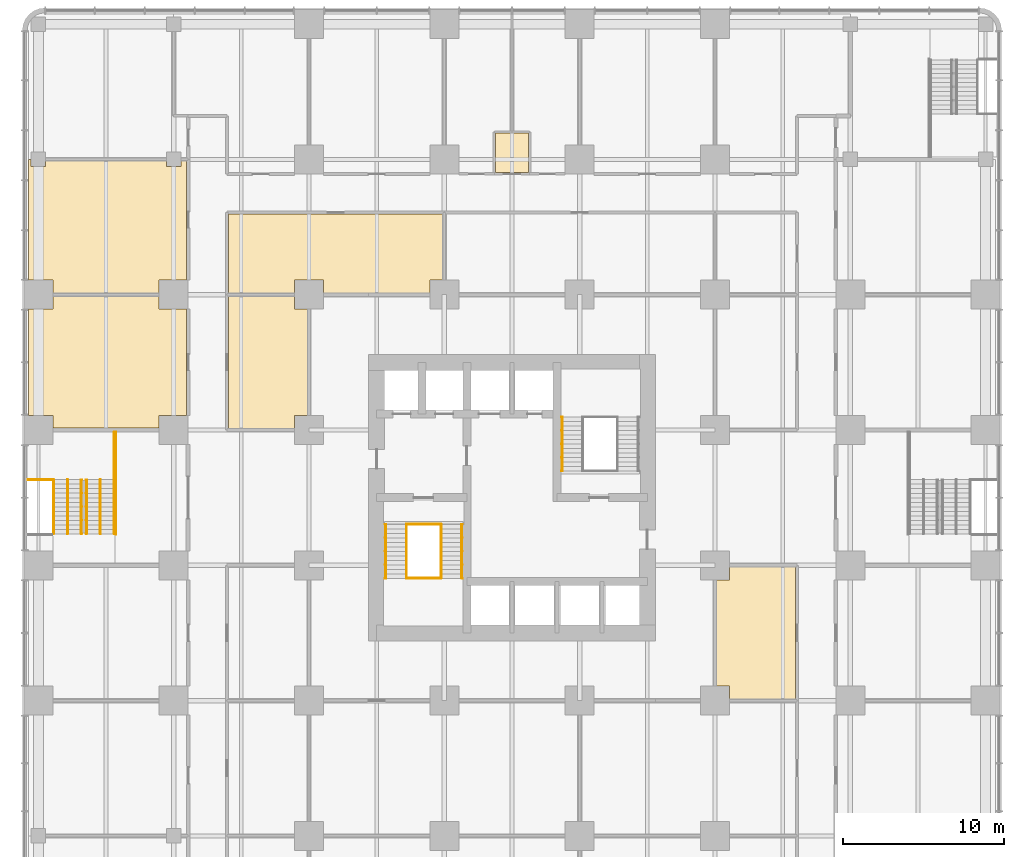
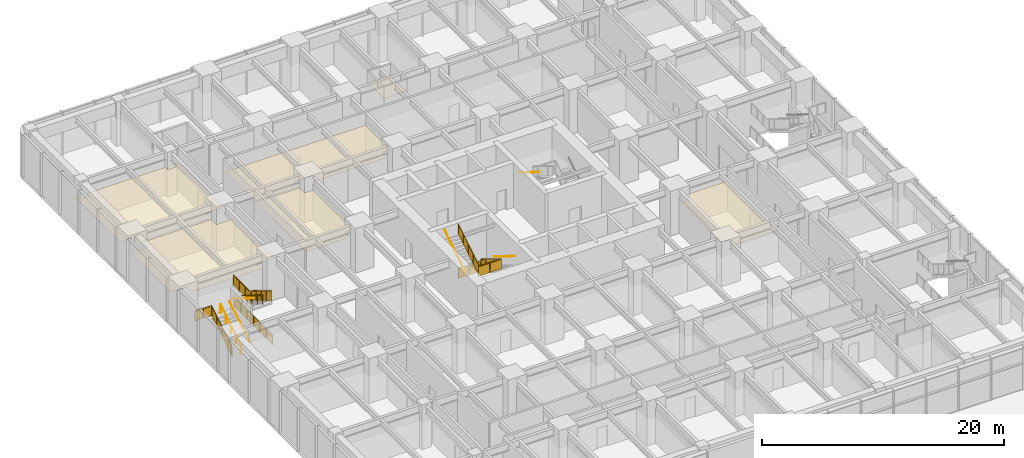
# One storey, part 18 of 20: 16 railings, 6 coverings.
"""IFC4 building model written with IfcOpenShell, lengths in metres."""

import ifcopenshell
import ifcopenshell.guid

model = None  # the IFC model being written
_history = None  # IfcOwnerHistory: only IFC2X3 demands one
_inside = {}  # id of a spatial element -> (the spatial element, [elements in it])
_under = {}  # id of a project, library or spatial element -> (it, [spatial elements below it])
_declared = {}  # id of a project -> (the project, [libraries it declares])
_typed = {}  # id of a type object -> (the type object, [elements of that type])
_made_of = {}  # id of a material, layer set ... -> (it, [elements and type objects made of it])


def new_model(schema):
    """Start an empty IFC model of exactly this schema.

    Asked for "IFC4X3", IfcOpenShell would pick the latest addendum, in which some entities
    have other attributes; the version numbers below select the first issue.
    IFC2X3 requires an IfcOwnerHistory on every rooted entity: one is made here for all.
    """
    global model, _history
    if schema == "IFC4X3":
        model = ifcopenshell.file(schema_version=(4, 3, 0, 0))
    else:
        model = ifcopenshell.file(schema=schema)
    _inside.clear()
    _under.clear()
    _declared.clear()
    _typed.clear()
    _made_of.clear()
    _history = None
    if model.schema == "IFC2X3":
        org = make("IfcOrganization", Name="unknown")
        user = make(
            "IfcPersonAndOrganization",
            ThePerson=make("IfcPerson", FamilyName="unknown"),
            TheOrganization=org,
        )
        app = make(
            "IfcApplication",
            ApplicationDeveloper=org,
            Version="unknown",
            ApplicationFullName="unknown",
            ApplicationIdentifier="unknown",
        )
        _history = make(
            "IfcOwnerHistory",
            OwningUser=user,
            OwningApplication=app,
            ChangeAction="ADDED",
            CreationDate=0,
        )
    return model


def make(cls, **values):
    """One entity of the class cls with the attributes given. An attribute that is None is left unset."""
    return model.create_entity(
        cls, **{name: value for name, value in values.items() if value is not None}
    )


def rooted(cls, **values):
    """An entity with a GlobalId (a new one), such as an element, a storey or a relation."""
    return make(cls, GlobalId=ifcopenshell.guid.new(), OwnerHistory=_history, **values)


def si_unit(unit_type, name, prefix=None):
    """IfcSIUnit, for example si_unit("LENGTHUNIT", "METRE", prefix="MILLI")."""
    return make("IfcSIUnit", UnitType=unit_type, Prefix=prefix, Name=name)


def assignment(units):
    """IfcUnitAssignment: the units of a project."""
    return None if units is None else make("IfcUnitAssignment", Units=units)


def point(xyz):
    """IfcCartesianPoint."""
    return None if xyz is None else make("IfcCartesianPoint", Coordinates=xyz)


def direction(xyz):
    """IfcDirection."""
    return None if xyz is None else make("IfcDirection", DirectionRatios=xyz)


def frame(location, z_axis=None, x_axis=None):
    """IfcAxis2Placement3D, a coordinate frame: its origin and axes. An axis left out is left unset."""
    return make(
        "IfcAxis2Placement3D",
        Location=point(location),
        Axis=direction(z_axis),
        RefDirection=direction(x_axis),
    )


def frame_2d(location, x_axis=None):
    """IfcAxis2Placement2D, a coordinate frame in the plane: its origin and x axis."""
    return make(
        "IfcAxis2Placement2D", Location=point(location), RefDirection=direction(x_axis)
    )


def origin():
    """The frame at (0, 0, 0) with its axes left unset."""
    return frame((0.0, 0.0, 0.0))


def origin_2d():
    """The frame at (0, 0) in the plane with its x axis left unset."""
    return frame_2d((0.0, 0.0))


def place(relative_to, where):
    """IfcLocalPlacement: puts the frame where relative to a parent placement (None: the world)."""
    return make(
        "IfcLocalPlacement", PlacementRelTo=relative_to, RelativePlacement=where
    )


def context(
    kind, dimensions, precision=None, world=None, true_north=None, identifier=None
):
    """IfcGeometricRepresentationContext, for example the 3D "Model" context."""
    return make(
        "IfcGeometricRepresentationContext",
        ContextIdentifier=identifier,
        ContextType=kind,
        CoordinateSpaceDimension=dimensions,
        Precision=precision,
        WorldCoordinateSystem=world,
        TrueNorth=true_north,
    )


def subcontext(parent, identifier, kind, view, scale=None):
    """IfcGeometricRepresentationSubContext, for example "Body" below "Model"."""
    return make(
        "IfcGeometricRepresentationSubContext",
        ContextIdentifier=identifier,
        ContextType=kind,
        ParentContext=parent,
        TargetScale=scale,
        TargetView=view,
    )


def project(units=None, contexts=None):
    """IfcProject with its units and contexts."""
    return rooted(
        "IfcProject",
        Name="project",
        RepresentationContexts=contexts,
        UnitsInContext=assignment(units),
    )


def spatial(cls, under=None, at=None, **own):
    """A site, building, storey or space (cls), placed at a placement, below another one or the project."""
    s = rooted(cls, ObjectPlacement=at, **own)
    if under is not None:
        _under.setdefault(under.id(), (under, []))[1].append(s)
    return s


def polyline(points):
    """IfcPolyline through the points."""
    return make("IfcPolyline", Points=[point(p) for p in points])


def profile(cls, at=None, kind="AREA", **sizes):
    """A parametric profile (cls). Its sizes go by their IFC names, for example OverallWidth=200.0."""
    return make(cls, ProfileType=kind, Position=at, **sizes)


def circle(**sizes):
    """IfcCircleProfileDef."""
    return profile("IfcCircleProfileDef", **sizes)


def outline(outer, holes=None, kind="AREA"):
    """IfcArbitraryClosedProfileDef: a profile drawn as a closed curve; with holes, ...WithVoids."""
    if holes is None:
        return make("IfcArbitraryClosedProfileDef", ProfileType=kind, OuterCurve=outer)
    return make(
        "IfcArbitraryProfileDefWithVoids",
        ProfileType=kind,
        OuterCurve=outer,
        InnerCurves=holes,
    )


def extrude(swept, where, along, depth):
    """IfcExtrudedAreaSolid: the profile swept, set in the frame where, extruded along a direction by depth."""
    return make(
        "IfcExtrudedAreaSolid",
        SweptArea=swept,
        Position=where,
        ExtrudedDirection=direction(along),
        Depth=depth,
    )


def shape(context_of_items, identifier, shape_type, items):
    """IfcShapeRepresentation: the items that make up one representation, for example the "Body"."""
    return make(
        "IfcShapeRepresentation",
        ContextOfItems=context_of_items,
        RepresentationIdentifier=identifier,
        RepresentationType=shape_type,
        Items=items,
    )


def material(Name=None, Category=None):
    """IfcMaterial."""
    return make("IfcMaterial", Name=Name, Category=Category)


def layer(
    of_material, thickness, ventilated=None, Name=None, Category=None, Priority=None
):
    """IfcMaterialLayer: one layer of a wall or slab, of a material (None: an air gap)."""
    return make(
        "IfcMaterialLayer",
        Material=of_material,
        LayerThickness=thickness,
        IsVentilated=ventilated,
        Name=Name,
        Category=Category,
        Priority=Priority,
    )


def layer_set(layers, Name=None):
    """IfcMaterialLayerSet."""
    return make("IfcMaterialLayerSet", MaterialLayers=layers, LayerSetName=Name)


def made_of(thing, what):
    """Note that an element or type object is made of a material, layer set ...; save() writes the relation."""
    if what is not None:
        _made_of.setdefault(what.id(), (what, []))[1].append(thing)
    return thing


def type_object(cls, material=None, **own):
    """A type object (cls), such as IfcWallType, which elements share."""
    return made_of(rooted(cls, **own), material)


def element(
    cls,
    number,
    at=None,
    inside=None,
    cuts=None,
    type_object=None,
    material=None,
    context=None,
    identifier="Body",
    shape_type=None,
    held_by="IfcProductDefinitionShape",
    body=None,
    shapes=None,
    **own,
):
    """One element of the class cls, such as IfcWall. Its Tag is "e" and its number.

    at: its placement. inside: the storey or other place that contains it. cuts: it is an
    opening in that element (IfcRelVoidsElement). A single representation is given by context,
    identifier, shape_type and body (its items); several are given by shapes. held_by: the class
    of the entity that holds the representations. save() writes the other relations.
    """
    e = rooted(cls, Tag="e%d" % number, ObjectPlacement=at, **own)
    if body is not None:
        shapes = [shape(context, identifier, shape_type, body)]
    if shapes is not None:
        e.Representation = make(held_by, Representations=shapes)
    if inside is not None:
        _inside.setdefault(inside.id(), (inside, []))[1].append(e)
    if cuts is not None:
        rooted(
            "IfcRelVoidsElement", RelatingBuildingElement=cuts, RelatedOpeningElement=e
        )
    if type_object is not None:
        _typed.setdefault(type_object.id(), (type_object, []))[1].append(e)
    return made_of(e, material)


def aggregate(whole, parts):
    """IfcRelAggregates: a whole, such as a stair, and the parts it consists of."""
    return rooted("IfcRelAggregates", RelatingObject=whole, RelatedObjects=parts)


def save(model, path):
    """Write the relations noted so far, then the file.

    IfcRelAggregates (storeys below a building ...), IfcRelContainedInSpatialStructure (elements
    in a storey), IfcRelDefinesByType, IfcRelAssociatesMaterial and IfcRelDeclares: one each for
    every whole, place, type object, material and project.
    """
    for whole, parts in _under.values():
        aggregate(whole, parts)
    for where, things in _inside.values():
        rooted(
            "IfcRelContainedInSpatialStructure",
            RelatedElements=things,
            RelatingStructure=where,
        )
    for kind, things in _typed.values():
        rooted("IfcRelDefinesByType", RelatedObjects=things, RelatingType=kind)
    for what, things in _made_of.values():
        rooted("IfcRelAssociatesMaterial", RelatedObjects=things, RelatingMaterial=what)
    for by, libraries in _declared.values():
        rooted("IfcRelDeclares", RelatingContext=by, RelatedDefinitions=libraries)
    model.write(path)


model = new_model("IFC4")

# Units and contexts
model_context = context("Model", 3, precision=1e-05, world=origin(), true_north=direction((0.0, 1.0)))
body_context = subcontext(model_context, "Body", "Model", "MODEL_VIEW")
ifc_project = project(units=[si_unit("LENGTHUNIT", "METRE"), si_unit("AREAUNIT", "SQUARE_METRE"), si_unit("VOLUMEUNIT", "CUBIC_METRE"), si_unit("PLANEANGLEUNIT", "RADIAN"), si_unit("MASSUNIT", "GRAM", prefix="KILO")], contexts=[model_context])

# Site, building, storey
site_placement = place(None, origin())
site = spatial("IfcSite", under=ifc_project, at=site_placement, CompositionType="ELEMENT")
building_placement = place(site_placement, origin())
building = spatial("IfcBuilding", under=site, at=building_placement, Name="Torre Alcanfor", CompositionType="ELEMENT")
storey_placement = place(building_placement, frame((0.0, 0.0, 10.5)))
storey = spatial("IfcBuildingStorey", under=building, at=storey_placement, Name="L02", CompositionType="ELEMENT", Elevation=10.5)

# Coverings
ifc_material_1 = material(Name="Mineral fibre acoustic tile 20 mm, NRC 0.70, on exposed suspension grid", Category="mineral fibre")
ifc_layer_1 = layer(ifc_material_1, 0.02001953125)
ifc_layer_set_1 = layer_set([ifc_layer_1], Name="Acoustic suspended ceiling 600x600 mineral fibre tile")
covering_type_1 = type_object("IfcCoveringType", Name="Acoustic suspended ceiling 600x600 mineral fibre tile", PredefinedType="CEILING", material=ifc_layer_set_1)
covering_1_placement = place(storey_placement, frame((0.0, 0.0, 2.75)))
element("IfcCovering", 1, at=covering_1_placement, inside=storey, type_object=covering_type_1, Name="Ceiling L02-14", PredefinedType="CEILING", context=body_context, shape_type="SweptSolid", body=[
    extrude(outline(polyline([(0.89990234375, 41.925048828125), (0.89990234375, 41.10009765625), (-0.625, 41.10009765625), (-0.625, 34.5), (0.89990234375, 34.5), (0.89990234375, 33.72509765625), (7.5, 33.72509765625), (7.5, 34.5), (9.199951171875, 34.5), (9.199951171875, 41.10009765625), (7.5, 41.10009765625), (7.5, 41.925048828125), (0.89990234375, 41.925048828125)])), origin(), (0.0, 0.0, 1.0), 0.02001953125),
])
covering_2_placement = place(storey_placement, frame((0.0, 0.0, 2.75)))
element("IfcCovering", 2, at=covering_2_placement, inside=storey, type_object=covering_type_1, Name="Ceiling L02-16", PredefinedType="CEILING", context=body_context, shape_type="SweptSolid", body=[
    extrude(outline(polyline([(-0.449951171875, 49.949951171875), (-0.449951171875, 50.39990234375), (-0.625, 50.39990234375), (-0.625, 42.89990234375), (0.89990234375, 42.89990234375), (0.89990234375, 42.074951171875), (7.5, 42.074951171875), (7.5, 42.89990234375), (9.199951171875, 42.89990234375), (9.199951171875, 50.324951171875), (8.85009765625, 50.324951171875), (8.85009765625, 49.949951171875), (7.949951171875, 49.949951171875), (7.949951171875, 50.324951171875), (0.449951171875, 50.324951171875), (0.449951171875, 49.949951171875), (-0.449951171875, 49.949951171875)])), origin(), (0.0, 0.0, 1.0), 0.02001953125),
])
covering_3_placement = place(storey_placement, frame((0.0, 0.0, 3.0)))
element("IfcCovering", 3, at=covering_3_placement, inside=storey, type_object=covering_type_1, Name="Ceiling L02-I08", PredefinedType="CEILING", context=body_context, shape_type="SweptSolid", body=[
    extrude(outline(polyline([(42.89990234375, 25.10009765625), (42.89990234375, 24.300048828125), (42.10009765625, 24.300048828125), (42.10009765625, 17.699951171875), (42.89990234375, 17.699951171875), (42.89990234375, 16.875), (47.0, 16.875), (47.0, 25.10009765625), (42.89990234375, 25.10009765625)])), origin(), (0.0, 0.0, 1.0), 0.02001953125),
])
covering_4_placement = place(storey_placement, frame((0.0, 0.0, 3.0)))
element("IfcCovering", 4, at=covering_4_placement, inside=storey, type_object=covering_type_1, Name="Ceiling L02-I09", PredefinedType="CEILING", context=body_context, shape_type="SweptSolid", body=[
    extrude(outline(polyline([(15.89990234375, 33.699951171875), (15.89990234375, 34.5), (16.699951171875, 34.5), (16.699951171875, 41.10009765625), (15.89990234375, 41.10009765625), (15.89990234375, 41.925048828125), (11.800048828125, 41.925048828125), (11.800048828125, 33.699951171875), (15.89990234375, 33.699951171875)])), origin(), (0.0, 0.0, 1.0), 0.02001953125),
])
covering_5_placement = place(storey_placement, frame((0.0, 0.0, 3.0)))
element("IfcCovering", 5, at=covering_5_placement, inside=storey, type_object=covering_type_1, Name="Ceiling L02-I11", PredefinedType="CEILING", context=body_context, shape_type="SweptSolid", body=[
    extrude(outline(polyline([(24.300048828125, 42.10009765625), (24.300048828125, 42.89990234375), (25.125, 42.89990234375), (25.125, 47.0), (11.800048828125, 47.0), (11.800048828125, 42.074951171875), (15.89990234375, 42.074951171875), (15.89990234375, 42.89990234375), (17.699951171875, 42.89990234375), (17.699951171875, 42.10009765625), (24.300048828125, 42.10009765625)])), origin(), (0.0, 0.0, 1.0), 0.02001953125),
])
ifc_material_2 = material(Name="Moisture-resistant gypsum plasterboard 12.5 mm on concealed suspension frame", Category="gypsum")
ifc_layer_2 = layer(ifc_material_2, 0.012451171875)
ifc_layer_set_2 = layer_set([ifc_layer_2], Name="Moisture-resistant plasterboard ceiling 12.5")
covering_type_2 = type_object("IfcCoveringType", Name="Moisture-resistant plasterboard ceiling 12.5", PredefinedType="CEILING", material=ifc_layer_set_2)
covering_6_placement = place(storey_placement, frame((0.0, 0.0, 3.0)))
element("IfcCovering", 6, at=covering_6_placement, inside=storey, type_object=covering_type_2, Name="Ceiling L02-WCN2", PredefinedType="CEILING", context=body_context, shape_type="SweptSolid", body=[
    extrude(outline(polyline([(30.425048828125, 52.02490234375), (28.375, 52.02490234375), (28.375, 49.574951171875), (30.425048828125, 49.574951171875), (30.425048828125, 52.02490234375)])), origin(), (0.0, 0.0, 1.0), 0.012451171875),
])

# Railings
ifc_material_3 = material(Name="Steel ASTM A500 Grade C hollow sections", Category="steel")
railing_type_1 = type_object("IfcRailingType", Name="Stair guard and handrail 1100", PredefinedType="GUARDRAIL", material=ifc_material_3)
railing_1_placement = place(storey_placement, frame((25.0, 27.75, 0.173095703125)))
element("IfcRailing", 7, at=railing_1_placement, inside=storey, type_object=railing_type_1, Name="Stair guard S1 L02 flight 1", PredefinedType="GUARDRAIL", context=body_context, shape_type="SweptSolid", body=[
    extrude(circle(Radius=0.02392578125, at=origin_2d()), frame((0.0, 0.0, 1.076171875), z_axis=(0.0, -0.850623216509, 0.525775754039), x_axis=(1.0, 0.0, 0.0)), (0.0, 0.0, 1.0), 3.9501953125),
    extrude(circle(Radius=0.02099609375, at=origin_2d()), origin(), (0.0, 0.0, 1.0), 1.052001953125),
    extrude(circle(Radius=0.02099609375, at=origin_2d()), frame((0.0, -0.840087890625, 0.519287109375)), (0.0, 0.0, 1.0), 1.052001953125),
    extrude(circle(Radius=0.02099609375, at=origin_2d()), frame((0.0, -1.68017578125, 1.03857421875)), (0.0, 0.0, 1.0), 1.052001953125),
    extrude(circle(Radius=0.02099609375, at=origin_2d()), frame((0.0, -2.52001953125, 1.5576171875)), (0.0, 0.0, 1.0), 1.052001953125),
    extrude(circle(Radius=0.02099609375, at=origin_2d()), frame((0.0, -3.360107421875, 2.076904296875)), (0.0, 0.0, 1.0), 1.052001953125),
    extrude(outline(polyline([(0.041015625, 0.075439453125), (0.799072265625, 0.5439453125), (0.799072265625, 1.495849609375), (0.041015625, 1.02734375), (0.041015625, 0.075439453125)])), frame((0.005859375, 0.0, 0.0), z_axis=(-1.0, 0.0, 0.0), x_axis=(0.0, -1.0, 0.0)), (0.0, 0.0, 1.0), 0.011962890625),
    extrude(outline(polyline([(0.881103515625, 0.594482421875), (1.63916015625, 1.06298828125), (1.63916015625, 2.01513671875), (0.881103515625, 1.546630859375), (0.881103515625, 0.594482421875)])), frame((0.005859375, 0.0, 0.0), z_axis=(-1.0, 0.0, 0.0), x_axis=(0.0, -1.0, 0.0)), (0.0, 0.0, 1.0), 0.011962890625),
    extrude(outline(polyline([(1.720947265625, 1.11376953125), (2.47900390625, 1.582275390625), (2.47900390625, 2.534423828125), (1.720947265625, 2.065673828125), (1.720947265625, 1.11376953125)])), frame((0.005859375, 0.0, 0.0), z_axis=(-1.0, 0.0, 0.0), x_axis=(0.0, -1.0, 0.0)), (0.0, 0.0, 1.0), 0.011962890625),
    extrude(outline(polyline([(2.56103515625, 1.633056640625), (3.319091796875, 2.1015625), (3.319091796875, 3.053466796875), (2.56103515625, 2.5849609375), (2.56103515625, 1.633056640625)])), frame((0.005859375, 0.0, 0.0), z_axis=(-1.0, 0.0, 0.0), x_axis=(0.0, -1.0, 0.0)), (0.0, 0.0, 1.0), 0.011962890625),
])
railing_2_placement = place(storey_placement, frame((22.85009765625, 24.389892578125, 2.423095703125)))
element("IfcRailing", 8, at=railing_2_placement, inside=storey, type_object=railing_type_1, Name="Stair guard S1 L02 flight 2", PredefinedType="GUARDRAIL", context=body_context, shape_type="SweptSolid", body=[
    extrude(circle(Radius=0.02392578125, at=origin_2d()), frame((0.0, 0.0, 1.076171875), z_axis=(0.0, 0.850623216509, 0.525775754039), x_axis=(-1.0, 0.0, 0.0)), (0.0, 0.0, 1.0), 3.9501953125),
    extrude(circle(Radius=0.02099609375, at=origin_2d()), origin(), (0.0, 0.0, 1.0), 1.052001953125),
    extrude(circle(Radius=0.02099609375, at=origin_2d()), frame((0.0, 0.840087890625, 0.519287109375)), (0.0, 0.0, 1.0), 1.052001953125),
    extrude(circle(Radius=0.02099609375, at=origin_2d()), frame((0.0, 1.68017578125, 1.03857421875)), (0.0, 0.0, 1.0), 1.052001953125),
    extrude(circle(Radius=0.02099609375, at=origin_2d()), frame((0.0, 2.52001953125, 1.5576171875)), (0.0, 0.0, 1.0), 1.052001953125),
    extrude(circle(Radius=0.02099609375, at=origin_2d()), frame((0.0, 3.360107421875, 2.076904296875)), (0.0, 0.0, 1.0), 1.052001953125),
    extrude(outline(polyline([(0.041015625, 0.075439453125), (0.799072265625, 0.5439453125), (0.799072265625, 1.495849609375), (0.041015625, 1.02734375), (0.041015625, 0.075439453125)])), frame((-0.005859375, 0.0, 0.0), z_axis=(1.0, 0.0, 0.0), x_axis=(0.0, 1.0, 0.0)), (0.0, 0.0, 1.0), 0.011962890625),
    extrude(outline(polyline([(0.881103515625, 0.594482421875), (1.63916015625, 1.06298828125), (1.63916015625, 2.01513671875), (0.881103515625, 1.546630859375), (0.881103515625, 0.594482421875)])), frame((-0.005859375, 0.0, 0.0), z_axis=(1.0, 0.0, 0.0), x_axis=(0.0, 1.0, 0.0)), (0.0, 0.0, 1.0), 0.011962890625),
    extrude(outline(polyline([(1.720947265625, 1.11376953125), (2.47900390625, 1.582275390625), (2.47900390625, 2.534423828125), (1.720947265625, 2.065673828125), (1.720947265625, 1.11376953125)])), frame((-0.005859375, 0.0, 0.0), z_axis=(1.0, 0.0, 0.0), x_axis=(0.0, 1.0, 0.0)), (0.0, 0.0, 1.0), 0.011962890625),
    extrude(outline(polyline([(2.56103515625, 1.633056640625), (3.319091796875, 2.1015625), (3.319091796875, 3.053466796875), (2.56103515625, 2.5849609375), (2.56103515625, 1.633056640625)])), frame((-0.005859375, 0.0, 0.0), z_axis=(1.0, 0.0, 0.0), x_axis=(0.0, 1.0, 0.0)), (0.0, 0.0, 1.0), 0.011962890625),
])
for number, where, name in (
    (9, (22.85009765625, 27.75, 0.0), "Stair well guard S1 L02 floor landing"),
    (10, (22.85009765625, 24.389892578125, 2.25), "Stair well guard S1 L02 half landing"),
):
    element("IfcRailing", number, at=place(storey_placement, frame(where)), inside=storey, type_object=railing_type_1, Name=name, PredefinedType="GUARDRAIL", context=body_context, shape_type="SweptSolid", body=[
        extrude(circle(Radius=0.02392578125, at=origin_2d()), frame((0.0, 0.0, 1.076171875), z_axis=(1.0, 0.0, 0.0), x_axis=(0.0, 1.0, 0.0)), (0.0, 0.0, 1.0), 2.14990234375),
        extrude(circle(Radius=0.02099609375, at=origin_2d()), origin(), (0.0, 0.0, 1.0), 1.052001953125),
        extrude(circle(Radius=0.02099609375, at=origin_2d()), frame((1.074951171875, 0.0, 0.0)), (0.0, 0.0, 1.0), 1.052001953125),
        extrude(circle(Radius=0.02099609375, at=origin_2d()), frame((2.14990234375, 0.0, 0.0)), (0.0, 0.0, 1.0), 1.052001953125),
        extrude(outline(polyline([(0.041015625, 0.050048828125), (1.033935546875, 0.050048828125), (1.033935546875, 1.001953125), (0.041015625, 1.001953125), (0.041015625, 0.050048828125)])), frame((0.0, 0.005859375, 0.0), z_axis=(0.0, -1.0, 0.0), x_axis=(1.0, 0.0, 0.0)), (0.0, 0.0, 1.0), 0.011962890625),
        extrude(outline(polyline([(1.115966796875, 0.050048828125), (2.10888671875, 0.050048828125), (2.10888671875, 1.001953125), (1.115966796875, 1.001953125), (1.115966796875, 0.050048828125)])), frame((0.0, 0.005859375, 0.0), z_axis=(0.0, -1.0, 0.0), x_axis=(1.0, 0.0, 0.0)), (0.0, 0.0, 1.0), 0.011962890625),
    ])
railing_3_placement = place(storey_placement, frame((4.81005859375, 27.10498046875, 0.0)))
element("IfcRailing", 11, at=railing_3_placement, inside=storey, type_object=railing_type_1, Name="Stair well guard SS1 L02 door side", PredefinedType="GUARDRAIL", context=body_context, shape_type="SweptSolid", body=[
    extrude(circle(Radius=0.02392578125, at=origin_2d()), frame((0.0, 0.0, 1.076171875), z_axis=(0.0, 1.0, 0.0), x_axis=(-1.0, 0.0, 0.0)), (0.0, 0.0, 1.0), 6.360107421875),
    extrude(circle(Radius=0.02099609375, at=origin_2d()), origin(), (0.0, 0.0, 1.0), 1.052001953125),
    extrude(circle(Radius=0.02099609375, at=origin_2d()), frame((0.0, 1.06005859375, 0.0)), (0.0, 0.0, 1.0), 1.052001953125),
    extrude(circle(Radius=0.02099609375, at=origin_2d()), frame((0.0, 2.1201171875, 0.0)), (0.0, 0.0, 1.0), 1.052001953125),
    extrude(circle(Radius=0.02099609375, at=origin_2d()), frame((0.0, 3.18017578125, 0.0)), (0.0, 0.0, 1.0), 1.052001953125),
    extrude(circle(Radius=0.02099609375, at=origin_2d()), frame((0.0, 4.239990234375, 0.0)), (0.0, 0.0, 1.0), 1.052001953125),
    extrude(circle(Radius=0.02099609375, at=origin_2d()), frame((0.0, 5.300048828125, 0.0)), (0.0, 0.0, 1.0), 1.052001953125),
    extrude(circle(Radius=0.02099609375, at=origin_2d()), frame((0.0, 6.360107421875, 0.0)), (0.0, 0.0, 1.0), 1.052001953125),
    extrude(outline(polyline([(0.041015625, 0.050048828125), (1.01904296875, 0.050048828125), (1.01904296875, 1.001953125), (0.041015625, 1.001953125), (0.041015625, 0.050048828125)])), frame((-0.005859375, 0.0, 0.0), z_axis=(1.0, 0.0, 0.0), x_axis=(0.0, 1.0, 0.0)), (0.0, 0.0, 1.0), 0.011962890625),
    extrude(outline(polyline([(1.10107421875, 0.050048828125), (2.0791015625, 0.050048828125), (2.0791015625, 1.001953125), (1.10107421875, 1.001953125), (1.10107421875, 0.050048828125)])), frame((-0.005859375, 0.0, 0.0), z_axis=(1.0, 0.0, 0.0), x_axis=(0.0, 1.0, 0.0)), (0.0, 0.0, 1.0), 0.011962890625),
    extrude(outline(polyline([(2.1611328125, 0.050048828125), (3.13916015625, 0.050048828125), (3.13916015625, 1.001953125), (2.1611328125, 1.001953125), (2.1611328125, 0.050048828125)])), frame((-0.005859375, 0.0, 0.0), z_axis=(1.0, 0.0, 0.0), x_axis=(0.0, 1.0, 0.0)), (0.0, 0.0, 1.0), 0.011962890625),
    extrude(outline(polyline([(3.220947265625, 0.050048828125), (4.198974609375, 0.050048828125), (4.198974609375, 1.001953125), (3.220947265625, 1.001953125), (3.220947265625, 0.050048828125)])), frame((-0.005859375, 0.0, 0.0), z_axis=(1.0, 0.0, 0.0), x_axis=(0.0, 1.0, 0.0)), (0.0, 0.0, 1.0), 0.011962890625),
    extrude(outline(polyline([(4.281005859375, 0.050048828125), (5.259033203125, 0.050048828125), (5.259033203125, 1.001953125), (4.281005859375, 1.001953125), (4.281005859375, 0.050048828125)])), frame((-0.005859375, 0.0, 0.0), z_axis=(1.0, 0.0, 0.0), x_axis=(0.0, 1.0, 0.0)), (0.0, 0.0, 1.0), 0.011962890625),
    extrude(outline(polyline([(5.341064453125, 0.050048828125), (6.319091796875, 0.050048828125), (6.319091796875, 1.001953125), (5.341064453125, 1.001953125), (5.341064453125, 0.050048828125)])), frame((-0.005859375, 0.0, 0.0), z_axis=(1.0, 0.0, 0.0), x_axis=(0.0, 1.0, 0.0)), (0.0, 0.0, 1.0), 0.011962890625),
])
railing_4_placement = place(storey_placement, frame((0.949951171875, 27.155029296875, 0.173095703125)))
element("IfcRailing", 12, at=railing_4_placement, inside=storey, type_object=railing_type_1, Name="Stair guard SS1 L02 flight 1", PredefinedType="GUARDRAIL", context=body_context, shape_type="SweptSolid", body=[
    extrude(circle(Radius=0.02392578125, at=origin_2d()), frame((0.0, 0.0, 1.076171875), z_axis=(0.0, 0.850606129759, 0.525803396734), x_axis=(-1.0, 0.0, 0.0)), (0.0, 0.0, 1.0), 3.949951171875),
    extrude(circle(Radius=0.02099609375, at=origin_2d()), origin(), (0.0, 0.0, 1.0), 1.052001953125),
    extrude(circle(Radius=0.02099609375, at=origin_2d()), frame((0.0, 0.83984375, 0.519287109375)), (0.0, 0.0, 1.0), 1.052001953125),
    extrude(circle(Radius=0.02099609375, at=origin_2d()), frame((0.0, 1.679931640625, 1.03857421875)), (0.0, 0.0, 1.0), 1.052001953125),
    extrude(circle(Radius=0.02099609375, at=origin_2d()), frame((0.0, 2.52001953125, 1.5576171875)), (0.0, 0.0, 1.0), 1.052001953125),
    extrude(circle(Radius=0.02099609375, at=origin_2d()), frame((0.0, 3.35986328125, 2.076904296875)), (0.0, 0.0, 1.0), 1.052001953125),
    extrude(outline(polyline([(0.041015625, 0.075439453125), (0.799072265625, 0.5439453125), (0.799072265625, 1.495849609375), (0.041015625, 1.02734375), (0.041015625, 0.075439453125)])), frame((-0.005859375, 0.0, 0.0), z_axis=(1.0, 0.0, 0.0), x_axis=(0.0, 1.0, 0.0)), (0.0, 0.0, 1.0), 0.011962890625),
    extrude(outline(polyline([(0.880859375, 0.594482421875), (1.638916015625, 1.06298828125), (1.638916015625, 2.01513671875), (0.880859375, 1.546630859375), (0.880859375, 0.594482421875)])), frame((-0.005859375, 0.0, 0.0), z_axis=(1.0, 0.0, 0.0), x_axis=(0.0, 1.0, 0.0)), (0.0, 0.0, 1.0), 0.011962890625),
    extrude(outline(polyline([(1.720947265625, 1.11376953125), (2.47900390625, 1.582275390625), (2.47900390625, 2.534423828125), (1.720947265625, 2.06591796875), (1.720947265625, 1.11376953125)])), frame((-0.005859375, 0.0, 0.0), z_axis=(1.0, 0.0, 0.0), x_axis=(0.0, 1.0, 0.0)), (0.0, 0.0, 1.0), 0.011962890625),
    extrude(outline(polyline([(2.560791015625, 1.633056640625), (3.31884765625, 2.1015625), (3.31884765625, 3.053466796875), (2.560791015625, 2.5849609375), (2.560791015625, 1.633056640625)])), frame((-0.005859375, 0.0, 0.0), z_axis=(1.0, 0.0, 0.0), x_axis=(0.0, 1.0, 0.0)), (0.0, 0.0, 1.0), 0.011962890625),
])
railing_5_placement = place(storey_placement, frame((4.7099609375, 30.514892578125, 2.423095703125)))
element("IfcRailing", 13, at=railing_5_placement, inside=storey, type_object=railing_type_1, Name="Stair guard SS1 L02 flight 2", PredefinedType="GUARDRAIL", context=body_context, shape_type="SweptSolid", body=[
    extrude(circle(Radius=0.02392578125, at=origin_2d()), frame((0.0, 0.0, 1.076171875), z_axis=(0.0, -0.850606129759, 0.525803396734), x_axis=(1.0, 0.0, 0.0)), (0.0, 0.0, 1.0), 3.949951171875),
    extrude(circle(Radius=0.02099609375, at=origin_2d()), origin(), (0.0, 0.0, 1.0), 1.052001953125),
    extrude(circle(Radius=0.02099609375, at=origin_2d()), frame((0.0, -0.83984375, 0.519287109375)), (0.0, 0.0, 1.0), 1.052001953125),
    extrude(circle(Radius=0.02099609375, at=origin_2d()), frame((0.0, -1.679931640625, 1.03857421875)), (0.0, 0.0, 1.0), 1.052001953125),
    extrude(circle(Radius=0.02099609375, at=origin_2d()), frame((0.0, -2.52001953125, 1.5576171875)), (0.0, 0.0, 1.0), 1.052001953125),
    extrude(circle(Radius=0.02099609375, at=origin_2d()), frame((0.0, -3.35986328125, 2.076904296875)), (0.0, 0.0, 1.0), 1.052001953125),
    extrude(outline(polyline([(0.041015625, 0.075439453125), (0.799072265625, 0.5439453125), (0.799072265625, 1.495849609375), (0.041015625, 1.02734375), (0.041015625, 0.075439453125)])), frame((0.005859375, 0.0, 0.0), z_axis=(-1.0, 0.0, 0.0), x_axis=(0.0, -1.0, 0.0)), (0.0, 0.0, 1.0), 0.011962890625),
    extrude(outline(polyline([(0.880859375, 0.594482421875), (1.638916015625, 1.06298828125), (1.638916015625, 2.01513671875), (0.880859375, 1.546630859375), (0.880859375, 0.594482421875)])), frame((0.005859375, 0.0, 0.0), z_axis=(-1.0, 0.0, 0.0), x_axis=(0.0, -1.0, 0.0)), (0.0, 0.0, 1.0), 0.011962890625),
    extrude(outline(polyline([(1.720947265625, 1.11376953125), (2.47900390625, 1.582275390625), (2.47900390625, 2.534423828125), (1.720947265625, 2.06591796875), (1.720947265625, 1.11376953125)])), frame((0.005859375, 0.0, 0.0), z_axis=(-1.0, 0.0, 0.0), x_axis=(0.0, -1.0, 0.0)), (0.0, 0.0, 1.0), 0.011962890625),
    extrude(outline(polyline([(2.560791015625, 1.633056640625), (3.31884765625, 2.1015625), (3.31884765625, 3.053466796875), (2.560791015625, 2.5849609375), (2.560791015625, 1.633056640625)])), frame((0.005859375, 0.0, 0.0), z_axis=(-1.0, 0.0, 0.0), x_axis=(0.0, -1.0, 0.0)), (0.0, 0.0, 1.0), 0.011962890625),
])
railing_6_placement = place(storey_placement, frame((-0.64990234375, 30.514892578125, 2.25)))
element("IfcRailing", 14, at=railing_6_placement, inside=storey, type_object=railing_type_1, Name="Stair guard SS1 L02 half landing facade strip", PredefinedType="GUARDRAIL", context=body_context, shape_type="SweptSolid", body=[
    extrude(circle(Radius=0.02392578125, at=origin_2d()), frame((0.0, 0.0, 1.076171875), z_axis=(1.0, 0.0, 0.0), x_axis=(0.0, 1.0, 0.0)), (0.0, 0.0, 1.0), 1.5498046875),
    extrude(circle(Radius=0.02099609375, at=origin_2d()), origin(), (0.0, 0.0, 1.0), 1.052001953125),
    extrude(circle(Radius=0.02099609375, at=origin_2d()), frame((0.77490234375, 0.0, 0.0)), (0.0, 0.0, 1.0), 1.052001953125),
    extrude(circle(Radius=0.02099609375, at=origin_2d()), frame((1.5498046875, 0.0, 0.0)), (0.0, 0.0, 1.0), 1.052001953125),
    extrude(outline(polyline([(0.041015625, 0.050048828125), (0.73388671875, 0.050048828125), (0.73388671875, 1.001953125), (0.041015625, 1.001953125), (0.041015625, 0.050048828125)])), frame((0.0, 0.005859375, 0.0), z_axis=(0.0, -1.0, 0.0), x_axis=(1.0, 0.0, 0.0)), (0.0, 0.0, 1.0), 0.011962890625),
    extrude(outline(polyline([(0.81591796875, 0.050048828125), (1.5087890625, 0.050048828125), (1.5087890625, 1.001953125), (0.81591796875, 1.001953125), (0.81591796875, 0.050048828125)])), frame((0.0, 0.005859375, 0.0), z_axis=(0.0, -1.0, 0.0), x_axis=(1.0, 0.0, 0.0)), (0.0, 0.0, 1.0), 0.011962890625),
])
railing_7_placement = place(storey_placement, frame((4.7099609375, 30.514892578125, 2.25)))
element("IfcRailing", 15, at=railing_7_placement, inside=storey, type_object=railing_type_1, Name="Stair guard SS1 L02 half landing", PredefinedType="GUARDRAIL", context=body_context, shape_type="SweptSolid", body=[
    extrude(circle(Radius=0.02392578125, at=origin_2d()), frame((0.0, 0.0, 1.076171875), z_axis=(0.0, 1.0, 0.0), x_axis=(-1.0, 0.0, 0.0)), (0.0, 0.0, 1.0), 2.9501953125),
    extrude(circle(Radius=0.02099609375, at=origin_2d()), origin(), (0.0, 0.0, 1.0), 1.052001953125),
    extrude(circle(Radius=0.02099609375, at=origin_2d()), frame((0.0, 0.9833984375, 0.0)), (0.0, 0.0, 1.0), 1.052001953125),
    extrude(circle(Radius=0.02099609375, at=origin_2d()), frame((0.0, 1.966796875, 0.0)), (0.0, 0.0, 1.0), 1.052001953125),
    extrude(circle(Radius=0.02099609375, at=origin_2d()), frame((0.0, 2.9501953125, 0.0)), (0.0, 0.0, 1.0), 1.052001953125),
    extrude(outline(polyline([(0.041015625, 0.050048828125), (0.9423828125, 0.050048828125), (0.9423828125, 1.001953125), (0.041015625, 1.001953125), (0.041015625, 0.050048828125)])), frame((-0.005859375, 0.0, 0.0), z_axis=(1.0, 0.0, 0.0), x_axis=(0.0, 1.0, 0.0)), (0.0, 0.0, 1.0), 0.011962890625),
    extrude(outline(polyline([(1.0244140625, 0.050048828125), (1.92578125, 0.050048828125), (1.92578125, 1.001953125), (1.0244140625, 1.001953125), (1.0244140625, 0.050048828125)])), frame((-0.005859375, 0.0, 0.0), z_axis=(1.0, 0.0, 0.0), x_axis=(0.0, 1.0, 0.0)), (0.0, 0.0, 1.0), 0.011962890625),
    extrude(outline(polyline([(2.0078125, 0.050048828125), (2.9091796875, 0.050048828125), (2.9091796875, 1.001953125), (2.0078125, 1.001953125), (2.0078125, 0.050048828125)])), frame((-0.005859375, 0.0, 0.0), z_axis=(1.0, 0.0, 0.0), x_axis=(0.0, 1.0, 0.0)), (0.0, 0.0, 1.0), 0.011962890625),
])
ifc_material_4 = material(Name="Steel ASTM A500 Grade C hollow sections", Category="steel")
railing_type_2 = type_object("IfcRailingType", Name="Stair intermediate handrail 900", PredefinedType="HANDRAIL", material=ifc_material_4)
railing_8_placement = place(storey_placement, frame((1.81494140625, 27.155029296875, 0.173095703125)))
element("IfcRailing", 16, at=railing_8_placement, inside=storey, type_object=railing_type_2, Name="Stair intermediate handrail SS1 L02 flight 1 rail 1", PredefinedType="HANDRAIL", context=body_context, shape_type="SweptSolid", body=[
    extrude(circle(Radius=0.02392578125, at=origin_2d()), frame((0.0, 0.0, 0.8759765625), z_axis=(0.0, 0.850606129759, 0.525803396734), x_axis=(-1.0, 0.0, 0.0)), (0.0, 0.0, 1.0), 3.949951171875),
    extrude(circle(Radius=0.02099609375, at=origin_2d()), origin(), (0.0, 0.0, 1.0), 0.851806640625),
    extrude(circle(Radius=0.02099609375, at=origin_2d()), frame((0.0, 0.83984375, 0.519287109375)), (0.0, 0.0, 1.0), 0.851806640625),
    extrude(circle(Radius=0.02099609375, at=origin_2d()), frame((0.0, 1.679931640625, 1.03857421875)), (0.0, 0.0, 1.0), 0.851806640625),
    extrude(circle(Radius=0.02099609375, at=origin_2d()), frame((0.0, 2.52001953125, 1.5576171875)), (0.0, 0.0, 1.0), 0.851806640625),
    extrude(circle(Radius=0.02099609375, at=origin_2d()), frame((0.0, 3.35986328125, 2.076904296875)), (0.0, 0.0, 1.0), 0.851806640625),
])
railing_9_placement = place(storey_placement, frame((3.844970703125, 30.514892578125, 2.423095703125)))
element("IfcRailing", 17, at=railing_9_placement, inside=storey, type_object=railing_type_2, Name="Stair intermediate handrail SS1 L02 flight 2 rail 1", PredefinedType="HANDRAIL", context=body_context, shape_type="SweptSolid", body=[
    extrude(circle(Radius=0.02392578125, at=origin_2d()), frame((0.0, 0.0, 0.8759765625), z_axis=(0.0, -0.850606129759, 0.525803396734), x_axis=(1.0, 0.0, 0.0)), (0.0, 0.0, 1.0), 3.949951171875),
    extrude(circle(Radius=0.02099609375, at=origin_2d()), origin(), (0.0, 0.0, 1.0), 0.851806640625),
    extrude(circle(Radius=0.02099609375, at=origin_2d()), frame((0.0, -0.83984375, 0.519287109375)), (0.0, 0.0, 1.0), 0.851806640625),
    extrude(circle(Radius=0.02099609375, at=origin_2d()), frame((0.0, -1.679931640625, 1.03857421875)), (0.0, 0.0, 1.0), 0.851806640625),
    extrude(circle(Radius=0.02099609375, at=origin_2d()), frame((0.0, -2.52001953125, 1.5576171875)), (0.0, 0.0, 1.0), 0.851806640625),
    extrude(circle(Radius=0.02099609375, at=origin_2d()), frame((0.0, -3.35986328125, 2.076904296875)), (0.0, 0.0, 1.0), 0.851806640625),
])
ifc_material_5 = material(Name="Steel ASTM A500 Grade C hollow sections", Category="steel")
railing_type_3 = type_object("IfcRailingType", Name="Stair wall handrail 900", PredefinedType="HANDRAIL", material=ifc_material_5)
railing_10_placement = place(storey_placement, frame((26.284912109375, 27.75, 0.173095703125)))
element("IfcRailing", 18, at=railing_10_placement, inside=storey, type_object=railing_type_3, Name="Stair handrail S1 L02 flight 1", PredefinedType="HANDRAIL", context=body_context, shape_type="SweptSolid", body=[
    extrude(circle(Radius=0.02392578125, at=origin_2d()), frame((0.0, 0.0, 0.8759765625), z_axis=(0.0, -0.850623216509, 0.525775754039), x_axis=(1.0, 0.0, 0.0)), (0.0, 0.0, 1.0), 3.9501953125),
    extrude(circle(Radius=0.008056640625, at=origin_2d()), frame((0.0, 0.0, 0.8759765625), z_axis=(1.0, 0.0, 0.0), x_axis=(0.0, 0.0, 1.0)), (0.0, 0.0, 1.0), 0.06494140625),
    extrude(circle(Radius=0.008056640625, at=origin_2d()), frame((0.0, -0.840087890625, 1.39501953125), z_axis=(1.0, 0.0, 0.0), x_axis=(0.0, 0.0, 1.0)), (0.0, 0.0, 1.0), 0.06494140625),
    extrude(circle(Radius=0.008056640625, at=origin_2d()), frame((0.0, -1.68017578125, 1.914306640625), z_axis=(1.0, 0.0, 0.0), x_axis=(0.0, 0.0, 1.0)), (0.0, 0.0, 1.0), 0.06494140625),
    extrude(circle(Radius=0.008056640625, at=origin_2d()), frame((0.0, -2.52001953125, 2.43359375), z_axis=(1.0, 0.0, 0.0), x_axis=(0.0, 0.0, 1.0)), (0.0, 0.0, 1.0), 0.06494140625),
    extrude(circle(Radius=0.008056640625, at=origin_2d()), frame((0.0, -3.360107421875, 2.95263671875), z_axis=(1.0, 0.0, 0.0), x_axis=(0.0, 0.0, 1.0)), (0.0, 0.0, 1.0), 0.06494140625),
])
railing_11_placement = place(storey_placement, frame((21.56494140625, 24.389892578125, 2.423095703125)))
element("IfcRailing", 19, at=railing_11_placement, inside=storey, type_object=railing_type_3, Name="Stair handrail S1 L02 flight 2", PredefinedType="HANDRAIL", context=body_context, shape_type="SweptSolid", body=[
    extrude(circle(Radius=0.02392578125, at=origin_2d()), frame((0.0, 0.0, 0.8759765625), z_axis=(0.0, 0.850623216509, 0.525775754039), x_axis=(-1.0, 0.0, 0.0)), (0.0, 0.0, 1.0), 3.9501953125),
    extrude(circle(Radius=0.008056640625, at=origin_2d()), frame((0.0, 0.0, 0.8759765625), z_axis=(-1.0, 0.0, 0.0), x_axis=(0.0, 0.0, 1.0)), (0.0, 0.0, 1.0), 0.06494140625),
    extrude(circle(Radius=0.008056640625, at=origin_2d()), frame((0.0, 0.840087890625, 1.39501953125), z_axis=(-1.0, 0.0, 0.0), x_axis=(0.0, 0.0, 1.0)), (0.0, 0.0, 1.0), 0.06494140625),
    extrude(circle(Radius=0.008056640625, at=origin_2d()), frame((0.0, 1.68017578125, 1.914306640625), z_axis=(-1.0, 0.0, 0.0), x_axis=(0.0, 0.0, 1.0)), (0.0, 0.0, 1.0), 0.06494140625),
    extrude(circle(Radius=0.008056640625, at=origin_2d()), frame((0.0, 2.52001953125, 2.43359375), z_axis=(-1.0, 0.0, 0.0), x_axis=(0.0, 0.0, 1.0)), (0.0, 0.0, 1.0), 0.06494140625),
    extrude(circle(Radius=0.008056640625, at=origin_2d()), frame((0.0, 3.360107421875, 2.95263671875), z_axis=(-1.0, 0.0, 0.0), x_axis=(0.0, 0.0, 1.0)), (0.0, 0.0, 1.0), 0.06494140625),
])
railing_12_placement = place(storey_placement, frame((32.514892578125, 34.409912109375, 2.423095703125)))
element("IfcRailing", 20, at=railing_12_placement, inside=storey, type_object=railing_type_3, Name="Stair handrail S2 L02 flight 2", PredefinedType="HANDRAIL", context=body_context, shape_type="SweptSolid", body=[
    extrude(circle(Radius=0.02392578125, at=origin_2d()), frame((0.0, 0.0, 0.8759765625), z_axis=(0.0, -0.850606129759, 0.525803396734), x_axis=(1.0, 0.0, 0.0)), (0.0, 0.0, 1.0), 3.949951171875),
    extrude(circle(Radius=0.008056640625, at=origin_2d()), frame((0.0, 0.0, 0.8759765625), z_axis=(-1.0, 0.0, 0.0), x_axis=(0.0, 0.0, 1.0)), (0.0, 0.0, 1.0), 0.06494140625),
    extrude(circle(Radius=0.008056640625, at=origin_2d()), frame((0.0, -0.83984375, 1.39501953125), z_axis=(-1.0, 0.0, 0.0), x_axis=(0.0, 0.0, 1.0)), (0.0, 0.0, 1.0), 0.06494140625),
    extrude(circle(Radius=0.008056640625, at=origin_2d()), frame((0.0, -1.679931640625, 1.914306640625), z_axis=(-1.0, 0.0, 0.0), x_axis=(0.0, 0.0, 1.0)), (0.0, 0.0, 1.0), 0.06494140625),
    extrude(circle(Radius=0.008056640625, at=origin_2d()), frame((0.0, -2.52001953125, 2.43359375), z_axis=(-1.0, 0.0, 0.0), x_axis=(0.0, 0.0, 1.0)), (0.0, 0.0, 1.0), 0.06494140625),
    extrude(circle(Radius=0.008056640625, at=origin_2d()), frame((0.0, -3.35986328125, 2.95263671875), z_axis=(-1.0, 0.0, 0.0), x_axis=(0.0, 0.0, 1.0)), (0.0, 0.0, 1.0), 0.06494140625),
])
railing_13_placement = place(storey_placement, frame((2.6650390625, 27.155029296875, 0.173095703125)))
element("IfcRailing", 21, at=railing_13_placement, inside=storey, type_object=railing_type_3, Name="Stair handrail SS1 L02 flight 1", PredefinedType="HANDRAIL", context=body_context, shape_type="SweptSolid", body=[
    extrude(circle(Radius=0.02392578125, at=origin_2d()), frame((0.0, 0.0, 0.8759765625), z_axis=(0.0, 0.850606129759, 0.525803396734), x_axis=(-1.0, 0.0, 0.0)), (0.0, 0.0, 1.0), 3.949951171875),
    extrude(circle(Radius=0.008056640625, at=origin_2d()), frame((0.0, 0.0, 0.8759765625), z_axis=(1.0, 0.0, 0.0), x_axis=(0.0, 0.0, 1.0)), (0.0, 0.0, 1.0), 0.06494140625),
    extrude(circle(Radius=0.008056640625, at=origin_2d()), frame((0.0, 0.83984375, 1.39501953125), z_axis=(1.0, 0.0, 0.0), x_axis=(0.0, 0.0, 1.0)), (0.0, 0.0, 1.0), 0.06494140625),
    extrude(circle(Radius=0.008056640625, at=origin_2d()), frame((0.0, 1.679931640625, 1.914306640625), z_axis=(1.0, 0.0, 0.0), x_axis=(0.0, 0.0, 1.0)), (0.0, 0.0, 1.0), 0.06494140625),
    extrude(circle(Radius=0.008056640625, at=origin_2d()), frame((0.0, 2.52001953125, 2.43359375), z_axis=(1.0, 0.0, 0.0), x_axis=(0.0, 0.0, 1.0)), (0.0, 0.0, 1.0), 0.06494140625),
    extrude(circle(Radius=0.008056640625, at=origin_2d()), frame((0.0, 3.35986328125, 2.95263671875), z_axis=(1.0, 0.0, 0.0), x_axis=(0.0, 0.0, 1.0)), (0.0, 0.0, 1.0), 0.06494140625),
])
railing_14_placement = place(storey_placement, frame((2.9951171875, 30.514892578125, 2.423095703125)))
element("IfcRailing", 22, at=railing_14_placement, inside=storey, type_object=railing_type_3, Name="Stair handrail SS1 L02 flight 2", PredefinedType="HANDRAIL", context=body_context, shape_type="SweptSolid", body=[
    extrude(circle(Radius=0.02392578125, at=origin_2d()), frame((0.0, 0.0, 0.8759765625), z_axis=(0.0, -0.850606129759, 0.525803396734), x_axis=(1.0, 0.0, 0.0)), (0.0, 0.0, 1.0), 3.949951171875),
    extrude(circle(Radius=0.008056640625, at=origin_2d()), frame((0.0, 0.0, 0.8759765625), z_axis=(-1.0, 0.0, 0.0), x_axis=(0.0, 0.0, 1.0)), (0.0, 0.0, 1.0), 0.06494140625),
    extrude(circle(Radius=0.008056640625, at=origin_2d()), frame((0.0, -0.83984375, 1.39501953125), z_axis=(-1.0, 0.0, 0.0), x_axis=(0.0, 0.0, 1.0)), (0.0, 0.0, 1.0), 0.06494140625),
    extrude(circle(Radius=0.008056640625, at=origin_2d()), frame((0.0, -1.679931640625, 1.914306640625), z_axis=(-1.0, 0.0, 0.0), x_axis=(0.0, 0.0, 1.0)), (0.0, 0.0, 1.0), 0.06494140625),
    extrude(circle(Radius=0.008056640625, at=origin_2d()), frame((0.0, -2.52001953125, 2.43359375), z_axis=(-1.0, 0.0, 0.0), x_axis=(0.0, 0.0, 1.0)), (0.0, 0.0, 1.0), 0.06494140625),
    extrude(circle(Radius=0.008056640625, at=origin_2d()), frame((0.0, -3.35986328125, 2.95263671875), z_axis=(-1.0, 0.0, 0.0), x_axis=(0.0, 0.0, 1.0)), (0.0, 0.0, 1.0), 0.06494140625),
])

save(model, "model.ifc")
